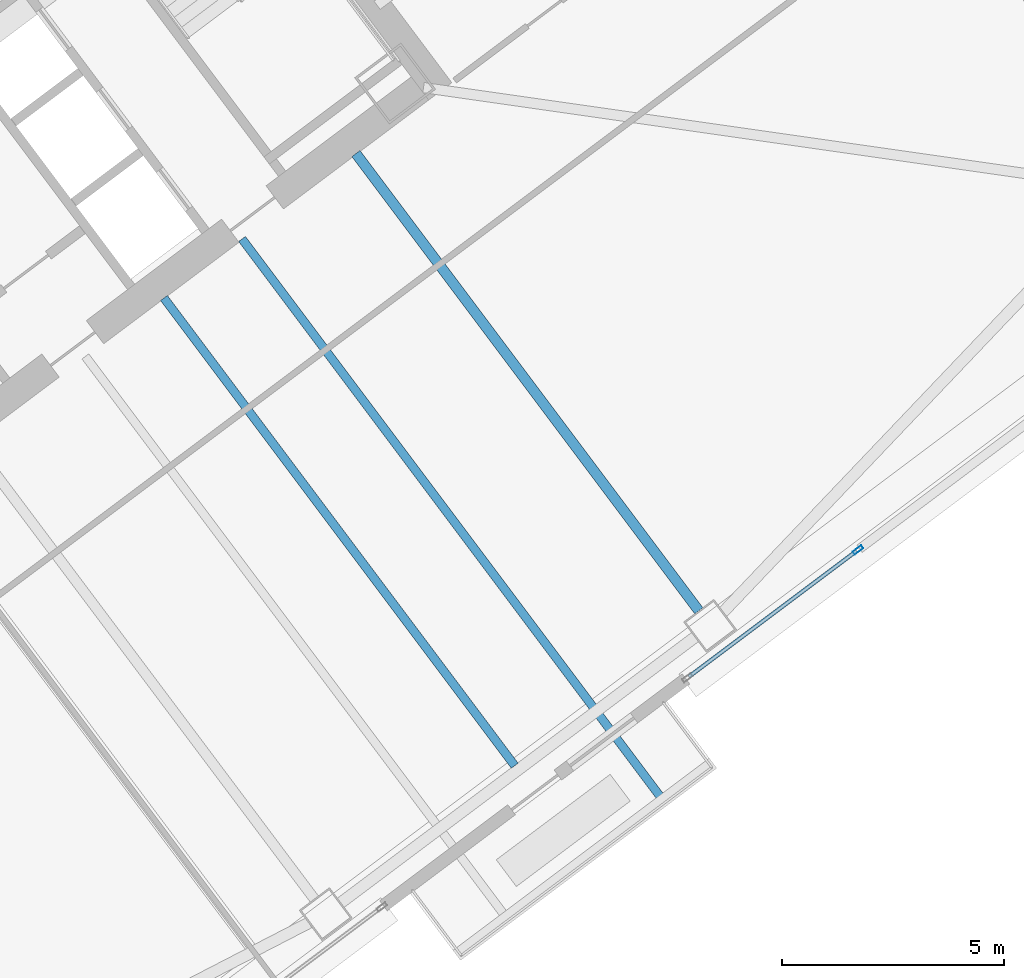
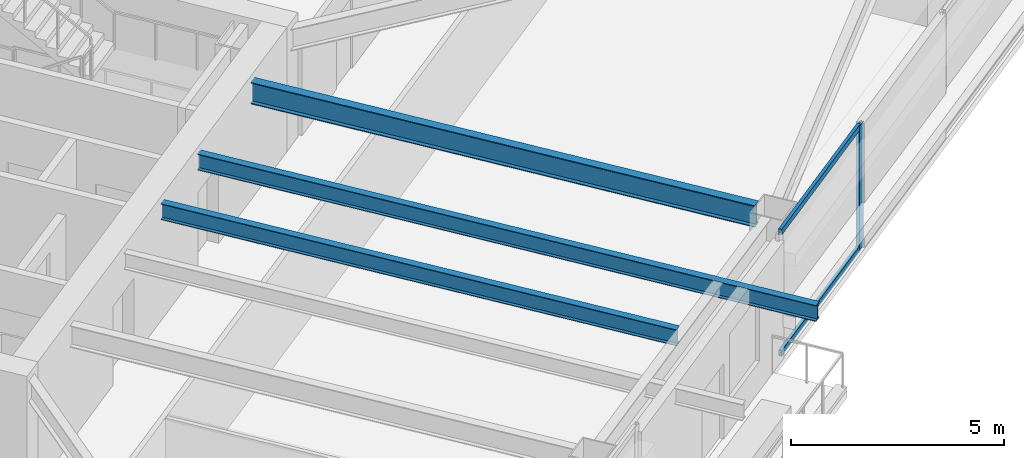
# One storey, part 27 of 51: 3 beams, 3 members, 1 element without a shape of its own.
"""IFC4 building model written with IfcOpenShell, lengths in metres."""

from ifc_helpers import new_model, si_unit, direction, frame, origin, origin_2d, place, context, subcontext, project, spatial, hollow_rectangle, i_section, extrude, material, material_profile, profile_set, type_object, element, aggregate, save


model = new_model("IFC4")

# Units and contexts
model_context = context("Model", 3, precision=1e-05, world=origin(), true_north=direction((0.0, 1.0)))
body_context = subcontext(model_context, "Body", "Model", "MODEL_VIEW")
ifc_project = project(units=[si_unit("LENGTHUNIT", "METRE"), si_unit("AREAUNIT", "SQUARE_METRE"), si_unit("VOLUMEUNIT", "CUBIC_METRE"), si_unit("PLANEANGLEUNIT", "RADIAN"), si_unit("MASSUNIT", "GRAM", prefix="KILO")], contexts=[model_context])

# Site, building, storey
site_placement = place(None, origin())
site = spatial("IfcSite", under=ifc_project, at=site_placement, CompositionType="ELEMENT")
building_placement = place(site_placement, origin())
building = spatial("IfcBuilding", under=site, at=building_placement, Name="Tashvorn Skyway Center", CompositionType="ELEMENT")
storey_placement = place(building_placement, frame((0.0, 0.0, 49.449951171875)))
storey = spatial("IfcBuildingStorey", under=building, at=storey_placement, Name="L12", CompositionType="ELEMENT", Elevation=49.449951171875)

# Beams
ifc_material_1 = material(Name="Steel ASTM A992 Grade 50", Category="steel")
ifc_material_profile_1 = material_profile(ifc_material_1, i_section(OverallWidth=0.22998046875, OverallDepth=0.616943359375, WebThickness=0.01318359375, FlangeThickness=0.022216796875, at=origin_2d()), Name="W24X94")
ifc_profile_set_1 = profile_set([ifc_material_profile_1], Name="Steel ASTM A992 Grade 50")
beam_type_1 = type_object("IfcBeamType", Name="BM-BEAM-W24X94", PredefinedType="BEAM", material=ifc_profile_set_1)
beam_1_placement = place(storey_placement, frame((130.697998046875, 18.736083984375, 3.04150390625), z_axis=(-0.599996960112, 0.800002279907, 0.0), x_axis=(-0.800002279907, -0.599996960112, 0.0)))
element("IfcBeam", 1, at=beam_1_placement, inside=storey, type_object=beam_type_1, Name="Tower 2 L12 Primary Floor Girder FC-S2", PredefinedType="BEAM", context=body_context, shape_type="SweptSolid", body=[
    extrude(i_section(OverallWidth=0.22998046875, OverallDepth=0.616943359375, WebThickness=0.01318359375, FlangeThickness=0.022216796875, at=origin_2d()), origin(), (0.0, 0.0, 1.0), 12.85009765625),
])
ifc_material_profile_2 = material_profile(ifc_material_1, i_section(OverallWidth=0.19091796875, OverallDepth=0.4599609375, WebThickness=0.010009765625, FlangeThickness=0.01611328125, at=origin_2d()), Name="W18X55")
ifc_profile_set_2 = profile_set([ifc_material_profile_2], Name="Steel ASTM A992 Grade 50")
beam_type_2 = type_object("IfcBeamType", Name="BM-JOIST-W18X55", PredefinedType="JOIST", material=ifc_profile_set_2)
beam_2_placement = place(storey_placement, frame((118.674072265625, 25.76806640625, 3.1201171875), z_axis=(0.600002972791, -0.799997770398, 0.0), x_axis=(0.799997770398, 0.600002972791, 0.0)))
element("IfcBeam", 2, at=beam_2_placement, inside=storey, type_object=beam_type_2, Name="Tower 2 L12 Secondary Composite Joist JS", PredefinedType="JOIST", context=body_context, shape_type="SweptSolid", body=[
    extrude(i_section(OverallWidth=0.19091796875, OverallDepth=0.4599609375, WebThickness=0.010009765625, FlangeThickness=0.01611328125, at=origin_2d()), origin(), (0.0, 0.0, 1.0), 13.139892578125),
])
beam_3_placement = place(storey_placement, frame((120.427978515625, 27.095947265625, 3.1201171875), z_axis=(0.599997522972, -0.800001857765, 0.0), x_axis=(0.800001857765, 0.599997522972, 0.0)))
element("IfcBeam", 3, at=beam_3_placement, inside=storey, type_object=beam_type_2, Name="Tower 2 L13 Terrace Cantilever Outlooker 2", PredefinedType="JOIST", context=body_context, shape_type="SweptSolid", body=[
    extrude(i_section(OverallWidth=0.19091796875, OverallDepth=0.4599609375, WebThickness=0.010009765625, FlangeThickness=0.01611328125, at=origin_2d()), origin(), (0.0, 0.0, 1.0), 15.77001953125),
])

# Curtain wall, members
ifc_material_2 = material(Name="Thermally broken bronze-anodized aluminium 6063-T6", Category="aluminium")
curtain_wall_type = type_object("IfcCurtainWallType", Name="CW-CW-Z1", PredefinedType="NOTDEFINED", material=ifc_material_2)
curtain_wall_placement = place(storey_placement, origin())
curtain_wall = element("IfcCurtainWall", 4, at=curtain_wall_placement, inside=storey, type_object=curtain_wall_type, Name="Tower 2 L12 South Curtain Wall L Glazing Group 2", PredefinedType="NOTDEFINED")
ifc_material_profile_3 = material_profile(ifc_material_2, hollow_rectangle(XDim=0.0849609375, YDim=0.239990234375, WallThickness=0.0048828125, at=origin_2d()), Name="ALU-MULL-85x240")
ifc_profile_set_3 = profile_set([ifc_material_profile_3], Name="Thermally broken bronze-anodized aluminium 6063-T6")
member_type_1 = type_object("IfcMemberType", Name="CWM-CW-Z1", PredefinedType="MULLION", material=ifc_profile_set_3)
member_1_placement = place(storey_placement, frame((134.275390625, 20.1064453125, 0.0), z_axis=(0.0, 0.0, 1.0), x_axis=(0.600003280937, -0.799997539287, 0.0)))
member_1 = element("IfcMember", 5, at=member_1_placement, type_object=member_type_1, Name="CW-Z1 mullion 1", PredefinedType="MULLION", context=body_context, shape_type="SweptSolid", body=[
    extrude(hollow_rectangle(XDim=0.0849609375, YDim=0.239990234375, WallThickness=0.0048828125, at=origin_2d()), origin(), (0.0, 0.0, 1.0), 3.550048828125),
])
ifc_material_profile_4 = material_profile(ifc_material_2, hollow_rectangle(XDim=0.0849609375, YDim=0.1650390625, WallThickness=0.0048828125, at=origin_2d()), Name="ALU-TRAN-85x165")
ifc_profile_set_4 = profile_set([ifc_material_profile_4], Name="Thermally broken bronze-anodized aluminium 6063-T6")
member_type_2 = type_object("IfcMemberType", Name="CWT-CW-Z1", PredefinedType="USERDEFINED", material=ifc_profile_set_4)
member_2_placement = place(storey_placement, frame((134.2412109375, 20.0810546875, 0.04248046875), z_axis=(-0.799987550274, -0.600016599275, 0.0), x_axis=(0.600016599275, -0.799987550274, 0.0)))
member_2 = element("IfcMember", 6, at=member_2_placement, type_object=member_type_2, Name="CW-Z1 transom 1.1", ObjectType="TRANSOM", PredefinedType="USERDEFINED", context=body_context, shape_type="SweptSolid", body=[
    extrude(hollow_rectangle(XDim=0.0849609375, YDim=0.1650390625, WallThickness=0.0048828125, at=origin_2d()), origin(), (0.0, 0.0, 1.0), 4.70654296875),
])
member_3_placement = place(storey_placement, frame((134.2412109375, 20.0810546875, 3.507568359375), z_axis=(-0.799987550274, -0.600016599275, 0.0), x_axis=(0.600016599275, -0.799987550274, 0.0)))
member_3 = element("IfcMember", 7, at=member_3_placement, type_object=member_type_2, Name="CW-Z1 transom 1.2", ObjectType="TRANSOM", PredefinedType="USERDEFINED", context=body_context, shape_type="SweptSolid", body=[
    extrude(hollow_rectangle(XDim=0.0849609375, YDim=0.1650390625, WallThickness=0.0048828125, at=origin_2d()), origin(), (0.0, 0.0, 1.0), 4.70654296875),
])
aggregate(curtain_wall, [member_1, member_2, member_3])

save(model, "model.ifc")
